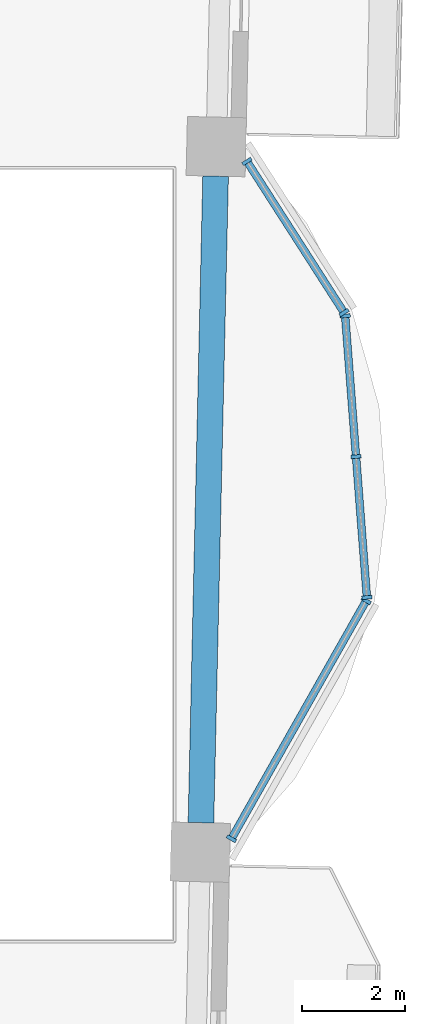
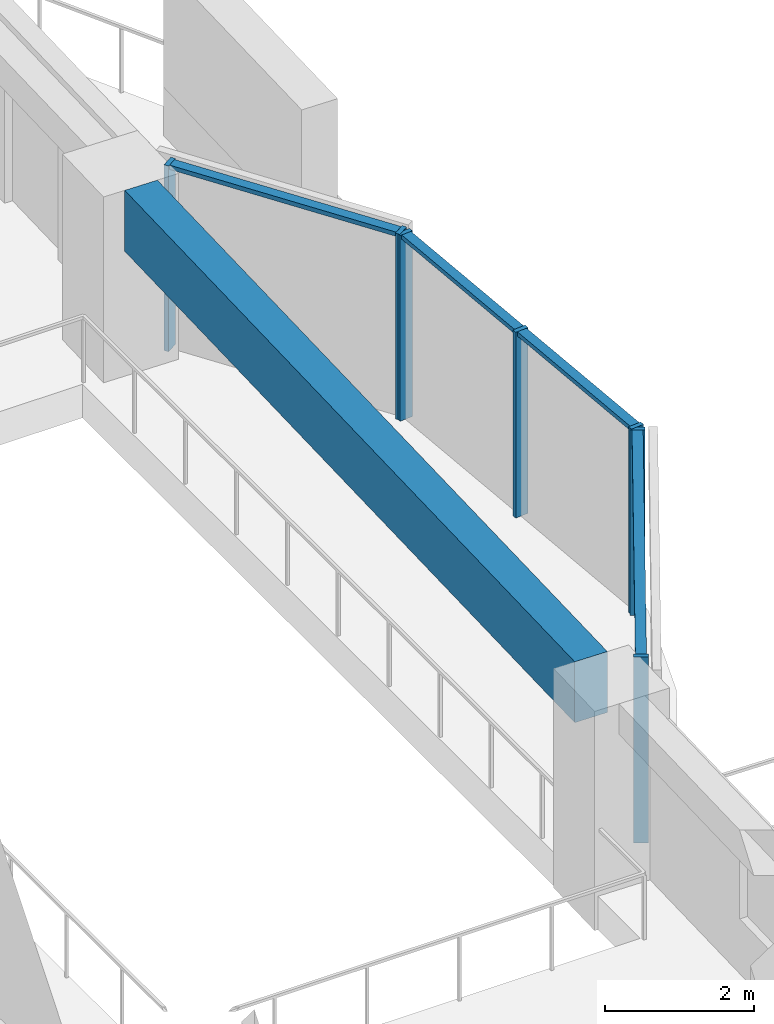
# One storey, part 2 of 14: 11 members, 1 beam, 3 elements without a shape of their own.
"""IFC4 building model written with IfcOpenShell, lengths in metres."""

from ifc_helpers import new_model, si_unit, direction, frame, origin, origin_2d, place, context, subcontext, project, spatial, rectangle, extrude, material, material_profile, profile_set, type_object, element, aggregate, save


model = new_model("IFC4")

# Units and contexts
model_context = context("Model", 3, precision=1e-05, world=origin(), true_north=direction((0.0, 1.0)))
body_context = subcontext(model_context, "Body", "Model", "MODEL_VIEW")
ifc_project = project(units=[si_unit("LENGTHUNIT", "METRE"), si_unit("AREAUNIT", "SQUARE_METRE"), si_unit("VOLUMEUNIT", "CUBIC_METRE"), si_unit("PLANEANGLEUNIT", "RADIAN"), si_unit("MASSUNIT", "GRAM", prefix="KILO")], contexts=[model_context])

# Site, building, storey
site_placement = place(None, origin())
site = spatial("IfcSite", under=ifc_project, at=site_placement, CompositionType="ELEMENT")
building_placement = place(site_placement, origin())
building = spatial("IfcBuilding", under=site, at=building_placement, Name="Mangrove Gate Tower", CompositionType="ELEMENT")
storey_placement = place(building_placement, frame((0.0, 0.0, 205.10009765625)))
storey = spatial("IfcBuildingStorey", under=building, at=storey_placement, Name="L52", CompositionType="ELEMENT", Elevation=205.10009765625)

# Curtain wall, members
ifc_material_1 = material(Name="Aluminium and glass curtain wall", Category="aluminium")
curtain_wall_type = type_object("IfcCurtainWallType", Name="Atrium garden-court glazing wall", PredefinedType="NOTDEFINED", material=ifc_material_1)
curtain_wall_1_placement = place(storey_placement, origin())
curtain_wall_1 = element("IfcCurtainWall", 1, at=curtain_wall_1_placement, inside=storey, type_object=curtain_wall_type, Name="Atrium garden-court glazing E1f1", PredefinedType="NOTDEFINED")
ifc_material_2 = material(Name="Aluminium alloy 6063-T6", Category="aluminium")
ifc_material_profile_1 = material_profile(ifc_material_2, rectangle(XDim=0.070068359375, YDim=0.199951171875, at=origin_2d()))
ifc_profile_set_1 = profile_set([ifc_material_profile_1], Name="Aluminium alloy 6063-T6")
member_type_1 = type_object("IfcMemberType", Name="Atrium garden-court glazing mullion 70x200", PredefinedType="MULLION", material=ifc_profile_set_1)
member_1_placement = place(storey_placement, frame((24.141845703125, -5.53564453125, 0.0), z_axis=(0.0, 0.0, 1.0), x_axis=(0.492599932635, 0.870255885569, 0.0)))
member_1 = element("IfcMember", 2, at=member_1_placement, type_object=member_type_1, Name="CWA mullion 1", PredefinedType="MULLION", context=body_context, shape_type="SweptSolid", body=[
    extrude(rectangle(XDim=0.070068359375, YDim=0.199951171875, at=origin_2d()), origin(), (0.0, 0.0, 1.0), 3.0498046875),
])
member_2_placement = place(storey_placement, frame((26.7666015625, -0.8984375, 0.0), z_axis=(0.0, 0.0, 1.0), x_axis=(0.492599932635, 0.870255885569, 0.0)))
member_2 = element("IfcMember", 3, at=member_2_placement, type_object=member_type_1, Name="CWA mullion 2", PredefinedType="MULLION", context=body_context, shape_type="SweptSolid", body=[
    extrude(rectangle(XDim=0.070068359375, YDim=0.199951171875, at=origin_2d()), origin(), (0.0, 0.0, 1.0), 3.0498046875),
])

curtain_wall_2_placement = place(storey_placement, origin())
curtain_wall_2 = element("IfcCurtainWall", 4, at=curtain_wall_2_placement, inside=storey, type_object=curtain_wall_type, Name="Atrium garden-court glazing E1f2", PredefinedType="NOTDEFINED")
member_3_placement = place(storey_placement, frame((26.78125, -0.8330078125, 0.0), z_axis=(0.0, 0.0, 1.0), x_axis=(-0.077023348229, 0.997029289353, 0.0)))
member_3 = element("IfcMember", 5, at=member_3_placement, type_object=member_type_1, Name="CWA mullion 1", PredefinedType="MULLION", context=body_context, shape_type="SweptSolid", body=[
    extrude(rectangle(XDim=0.070068359375, YDim=0.199951171875, at=origin_2d()), origin(), (0.0, 0.0, 1.0), 3.0498046875),
])
member_4_placement = place(storey_placement, frame((26.5693359375, 1.910400390625, 0.0), z_axis=(0.0, 0.0, 1.0), x_axis=(-0.077023348229, 0.997029289353, 0.0)))
member_4 = element("IfcMember", 6, at=member_4_placement, type_object=member_type_1, Name="CWA mullion 2", PredefinedType="MULLION", context=body_context, shape_type="SweptSolid", body=[
    extrude(rectangle(XDim=0.070068359375, YDim=0.199951171875, at=origin_2d()), origin(), (0.0, 0.0, 1.0), 3.0498046875),
])
member_5_placement = place(storey_placement, frame((26.357177734375, 4.654052734375, 0.0), z_axis=(0.0, 0.0, 1.0), x_axis=(-0.077023348229, 0.997029289353, 0.0)))
member_5 = element("IfcMember", 7, at=member_5_placement, type_object=member_type_1, Name="CWA mullion 3", PredefinedType="MULLION", context=body_context, shape_type="SweptSolid", body=[
    extrude(rectangle(XDim=0.070068359375, YDim=0.199951171875, at=origin_2d()), origin(), (0.0, 0.0, 1.0), 3.0498046875),
])

curtain_wall_3_placement = place(storey_placement, origin())
curtain_wall_3 = element("IfcCurtainWall", 8, at=curtain_wall_3_placement, inside=storey, type_object=curtain_wall_type, Name="Atrium garden-court glazing E1f3", PredefinedType="NOTDEFINED")
member_6_placement = place(storey_placement, frame((26.335693359375, 4.71826171875, 0.0), z_axis=(0.0, 0.0, 1.0), x_axis=(-0.540523066602, 0.841329195067, 0.0)))
member_6 = element("IfcMember", 9, at=member_6_placement, type_object=member_type_1, Name="CWA mullion 1", PredefinedType="MULLION", context=body_context, shape_type="SweptSolid", body=[
    extrude(rectangle(XDim=0.070068359375, YDim=0.199951171875, at=origin_2d()), origin(), (0.0, 0.0, 1.0), 3.0498046875),
])
member_7_placement = place(storey_placement, frame((24.4443359375, 7.662109375, 0.0), z_axis=(0.0, 0.0, 1.0), x_axis=(-0.540523066602, 0.841329195067, 0.0)))
member_7 = element("IfcMember", 10, at=member_7_placement, type_object=member_type_1, Name="CWA mullion 2", PredefinedType="MULLION", context=body_context, shape_type="SweptSolid", body=[
    extrude(rectangle(XDim=0.070068359375, YDim=0.199951171875, at=origin_2d()), origin(), (0.0, 0.0, 1.0), 3.0498046875),
])

# Member
ifc_material_3 = material(Name="Aluminium alloy 6063-T6", Category="aluminium")
ifc_material_profile_2 = material_profile(ifc_material_3, rectangle(XDim=0.070068359375, YDim=0.14990234375, at=origin_2d()))
ifc_profile_set_2 = profile_set([ifc_material_profile_2], Name="Aluminium alloy 6063-T6")
member_type_2 = type_object("IfcMemberType", Name="Atrium garden-court glazing transom 70x150", PredefinedType="USERDEFINED", material=ifc_profile_set_2)
member_8_placement = place(storey_placement, frame((24.158935546875, -5.505126953125, 3.014892578125), z_axis=(0.492604854248, 0.870253099719, 0.0), x_axis=(0.0, 0.0, 1.0)))
member_8 = element("IfcMember", 11, at=member_8_placement, type_object=member_type_2, Name="CWA transom 1.2", ObjectType="TRANSOM", PredefinedType="USERDEFINED", context=body_context, shape_type="SweptSolid", body=[
    extrude(rectangle(XDim=0.070068359375, YDim=0.14990234375, at=origin_2d()), origin(), (0.0, 0.0, 1.0), 5.258544921875),
])

aggregate(curtain_wall_1, [member_1, member_2, member_8])

member_9_placement = place(storey_placement, frame((26.778564453125, -0.798095703125, 3.014892578125), z_axis=(-0.077023719707, 0.997029260655, 0.0), x_axis=(0.0, 0.0, 1.0)))
member_9 = element("IfcMember", 12, at=member_9_placement, type_object=member_type_2, Name="CWA transom 1.2", ObjectType="TRANSOM", PredefinedType="USERDEFINED", context=body_context, shape_type="SweptSolid", body=[
    extrude(rectangle(XDim=0.070068359375, YDim=0.14990234375, at=origin_2d()), origin(), (0.0, 0.0, 1.0), 2.681640625),
])

member_10_placement = place(storey_placement, frame((26.56640625, 1.9453125, 3.014892578125), z_axis=(-0.07701672858, 0.997029800718, 0.0), x_axis=(0.0, 0.0, 1.0)))
member_10 = element("IfcMember", 13, at=member_10_placement, type_object=member_type_2, Name="CWA transom 2.2", ObjectType="TRANSOM", PredefinedType="USERDEFINED", context=body_context, shape_type="SweptSolid", body=[
    extrude(rectangle(XDim=0.070068359375, YDim=0.14990234375, at=origin_2d()), origin(), (0.0, 0.0, 1.0), 2.681884765625),
])

aggregate(curtain_wall_2, [member_3, member_4, member_5, member_9, member_10])

member_11_placement = place(storey_placement, frame((26.316650390625, 4.747802734375, 3.014892578125), z_axis=(-0.540473277627, 0.841361180571, 0.0), x_axis=(0.0, 0.0, 1.0)))
member_11 = element("IfcMember", 14, at=member_11_placement, type_object=member_type_2, Name="CWA transom 1.2", ObjectType="TRANSOM", PredefinedType="USERDEFINED", context=body_context, shape_type="SweptSolid", body=[
    extrude(rectangle(XDim=0.070068359375, YDim=0.14990234375, at=origin_2d()), origin(), (0.0, 0.0, 1.0), 3.428955078125),
])

aggregate(curtain_wall_3, [member_6, member_7, member_11])

# Beam
ifc_material_4 = material(Name="Concrete C50/60", Category="concrete")
ifc_material_profile_3 = material_profile(ifc_material_4, rectangle(XDim=0.5, YDim=1.0, at=origin_2d()))
ifc_profile_set_3 = profile_set([ifc_material_profile_3], Name="Concrete C50/60")
beam_type = type_object("IfcBeamType", Name="Edge beam RC 500x1000 C50/60", PredefinedType="BEAM", material=ifc_profile_set_3)
beam_placement = place(storey_placement, frame((23.547119140625, -5.22314453125, 2.5498046875), z_axis=(0.022686638645, 0.999742625093, 0.0), x_axis=(-0.999742625093, 0.022686638645, 0.0)))
element("IfcBeam", 15, at=beam_placement, inside=storey, type_object=beam_type, Name="Edge beam L52 14", PredefinedType="BEAM", context=body_context, shape_type="SweptSolid", body=[
    extrude(rectangle(XDim=0.5, YDim=1.0, at=origin_2d()), origin(), (0.0, 0.0, 1.0), 12.6015625),
])

save(model, "model.ifc")
